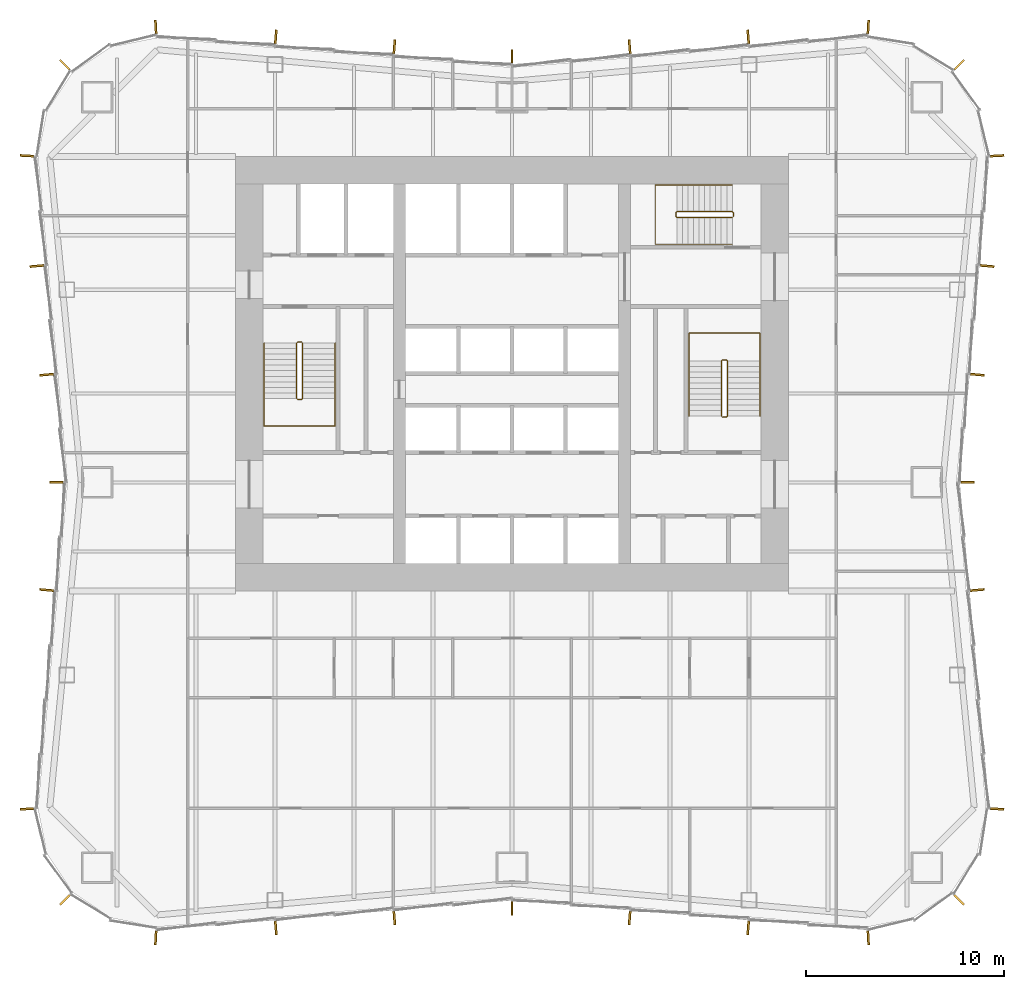
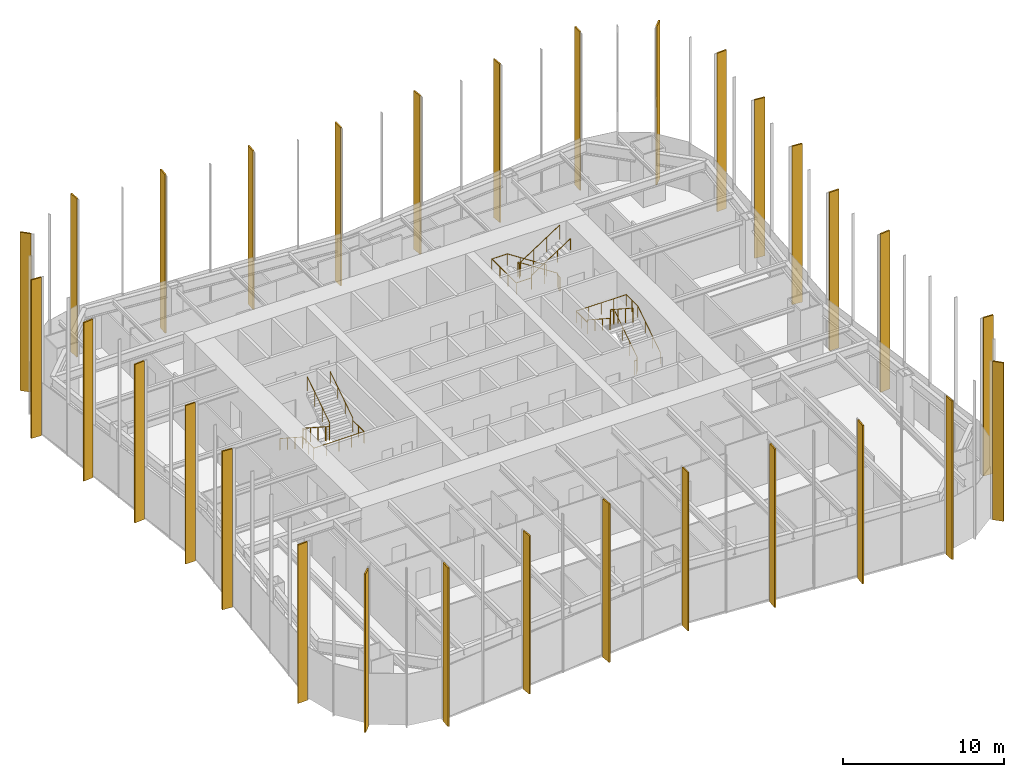
# One storey, part 13 of 13: 30 shading devices, 6 railings.
"""IFC4 building model written with IfcOpenShell, lengths in metres."""

from ifc_helpers import new_model, si_unit, direction, frame, origin, origin_2d, place, context, subcontext, project, spatial, rectangle, circle, extrude, material, layer, layer_set, type_object, element, save


model = new_model("IFC4")

# Units and contexts
model_context = context("Model", 3, precision=1e-05, world=origin(), true_north=direction((0.0, 1.0)))
body_context = subcontext(model_context, "Body", "Model", "MODEL_VIEW")
ifc_project = project(units=[si_unit("LENGTHUNIT", "METRE"), si_unit("AREAUNIT", "SQUARE_METRE"), si_unit("VOLUMEUNIT", "CUBIC_METRE"), si_unit("PLANEANGLEUNIT", "RADIAN"), si_unit("MASSUNIT", "GRAM", prefix="KILO")], contexts=[model_context])

# Site, building, storey
site_placement = place(None, origin())
site = spatial("IfcSite", under=ifc_project, at=site_placement, CompositionType="ELEMENT")
building_placement = place(site_placement, origin())
building = spatial("IfcBuilding", under=site, at=building_placement, Name="Verdant Reach Tower", CompositionType="ELEMENT")
storey_placement = place(building_placement, frame((0.0, 0.0, 26.0)))
storey = spatial("IfcBuildingStorey", under=building, at=storey_placement, Name="L05", CompositionType="ELEMENT", Elevation=26.0)

# Railings
ifc_material_1 = material(Name="Stainless steel", Category="steel")
railing_type_1 = type_object("IfcRailingType", Name="CO-GUARD", PredefinedType="GUARDRAIL", material=ifc_material_1)
railing_1_placement = place(storey_placement, frame((-10.64990234375, 29.60009765625, 0.0)))
element("IfcRailing", 1, at=railing_1_placement, inside=storey, type_object=railing_type_1, Name="L05 ST-1 stair guard 1", PredefinedType="GUARDRAIL", context=body_context, shape_type="SweptSolid", body=[
    extrude(circle(Radius=0.02392578125, at=origin_2d()), frame((0.0, 0.0, 1.076171875), z_axis=(-1.0, 0.0, 0.0), x_axis=(0.0, -1.0, 0.0)), (0.0, 0.0, 1.0), 0.2001953125),
    extrude(circle(Radius=0.02392578125, at=origin_2d()), frame((-0.2001953125, 0.0, 1.076171875), z_axis=(-0.25526617399, -0.256517478764, 0.932222056972), x_axis=(0.708833529934, -0.705375805398, 0.0)), (0.0, 0.0, 1.0), 0.195068359375),
    extrude(circle(Radius=0.02392578125, at=origin_2d()), frame((-0.25, -0.050048828125, 1.2578125), z_axis=(0.0, -0.838705829183, 0.544584733623), x_axis=(1.0, 0.0, 0.0)), (0.0, 0.0, 1.0), 3.338623046875),
    extrude(circle(Radius=0.02392578125, at=origin_2d()), frame((-0.25, -2.85009765625, 3.076171875), z_axis=(0.705375805398, -0.708833529934, 0.0), x_axis=(0.708833529934, 0.705375805398, 0.0)), (0.0, 0.0, 1.0), 0.070556640625),
    extrude(circle(Radius=0.02392578125, at=origin_2d()), frame((-0.2001953125, -2.900146484375, 3.076171875), z_axis=(1.0, 0.0, 0.0), x_axis=(0.0, 1.0, 0.0)), (0.0, 0.0, 1.0), 0.2001953125),
    extrude(circle(Radius=0.02392578125, at=origin_2d()), frame((0.0, -2.900146484375, 3.076171875), z_axis=(0.25526617399, 0.256517478764, 0.932222056972), x_axis=(-0.708833529934, 0.705375805398, 0.0)), (0.0, 0.0, 1.0), 0.195068359375),
    extrude(circle(Radius=0.02392578125, at=origin_2d()), frame((0.0498046875, -2.85009765625, 3.2578125), z_axis=(0.0, 0.838705829183, 0.544584733623), x_axis=(-1.0, 0.0, 0.0)), (0.0, 0.0, 1.0), 3.338623046875),
    extrude(circle(Radius=0.02099609375, at=origin_2d()), origin(), (0.0, 0.0, 1.0), 1.052001953125),
    extrude(circle(Radius=0.02099609375, at=origin_2d()), frame((-0.2001953125, 0.0, 0.0)), (0.0, 0.0, 1.0), 1.052001953125),
    extrude(circle(Radius=0.02099609375, at=origin_2d()), frame((-0.25, -0.050048828125, 0.181884765625)), (0.0, 0.0, 1.0), 1.052001953125),
    extrude(circle(Radius=0.02099609375, at=origin_2d()), frame((-0.25, -0.9833984375, 0.787841796875)), (0.0, 0.0, 1.0), 1.052001953125),
    extrude(circle(Radius=0.02099609375, at=origin_2d()), frame((-0.25, -1.916748046875, 1.39404296875)), (0.0, 0.0, 1.0), 1.052001953125),
    extrude(circle(Radius=0.02099609375, at=origin_2d()), frame((-0.25, -2.85009765625, 2.0)), (0.0, 0.0, 1.0), 1.052001953125),
    extrude(circle(Radius=0.02099609375, at=origin_2d()), frame((-0.2001953125, -2.900146484375, 2.0)), (0.0, 0.0, 1.0), 1.052001953125),
    extrude(circle(Radius=0.02099609375, at=origin_2d()), frame((0.0, -2.900146484375, 2.0)), (0.0, 0.0, 1.0), 1.052001953125),
    extrude(circle(Radius=0.02099609375, at=origin_2d()), frame((0.0498046875, -2.85009765625, 2.181884765625)), (0.0, 0.0, 1.0), 1.052001953125),
    extrude(circle(Radius=0.02099609375, at=origin_2d()), frame((0.0498046875, -1.916748046875, 2.787841796875)), (0.0, 0.0, 1.0), 1.052001953125),
    extrude(circle(Radius=0.02099609375, at=origin_2d()), frame((0.0498046875, -0.9833984375, 3.39404296875)), (0.0, 0.0, 1.0), 1.052001953125),
    extrude(circle(Radius=0.02099609375, at=origin_2d()), frame((0.0498046875, -0.050048828125, 4.0)), (0.0, 0.0, 1.0), 1.052001953125),
])
railing_2_placement = place(storey_placement, frame((10.64990234375, 25.800048828125, 0.0)))
element("IfcRailing", 2, at=railing_2_placement, inside=storey, type_object=railing_type_1, Name="L05 ST-2 stair guard 1", PredefinedType="GUARDRAIL", context=body_context, shape_type="SweptSolid", body=[
    extrude(circle(Radius=0.02392578125, at=origin_2d()), frame((0.0, 0.0, 1.076171875), z_axis=(1.0, 0.0, 0.0), x_axis=(0.0, 1.0, 0.0)), (0.0, 0.0, 1.0), 0.2001953125),
    extrude(circle(Radius=0.02392578125, at=origin_2d()), frame((0.2001953125, 0.0, 1.076171875), z_axis=(0.25526617399, 0.256517478764, 0.932222056972), x_axis=(-0.708833529934, 0.705375805398, 0.0)), (0.0, 0.0, 1.0), 0.195068359375),
    extrude(circle(Radius=0.02392578125, at=origin_2d()), frame((0.25, 0.050048828125, 1.2578125), z_axis=(0.0, 0.83868413941, 0.544618136222), x_axis=(-1.0, 0.0, 0.0)), (0.0, 0.0, 1.0), 3.33837890625),
    extrude(circle(Radius=0.02392578125, at=origin_2d()), frame((0.25, 2.849853515625, 3.076171875), z_axis=(-0.705375805398, 0.708833529934, 0.0), x_axis=(-0.708833529934, -0.705375805398, 0.0)), (0.0, 0.0, 1.0), 0.070556640625),
    extrude(circle(Radius=0.02392578125, at=origin_2d()), frame((0.2001953125, 2.89990234375, 3.076171875), z_axis=(-1.0, 0.0, 0.0), x_axis=(0.0, -1.0, 0.0)), (0.0, 0.0, 1.0), 0.2001953125),
    extrude(circle(Radius=0.02392578125, at=origin_2d()), frame((0.0, 2.89990234375, 3.076171875), z_axis=(-0.25526617399, -0.256517478764, 0.932222056972), x_axis=(0.708833529934, -0.705375805398, 0.0)), (0.0, 0.0, 1.0), 0.195068359375),
    extrude(circle(Radius=0.02392578125, at=origin_2d()), frame((-0.0498046875, 2.849853515625, 3.2578125), z_axis=(0.0, -0.83868413941, 0.544618136222), x_axis=(1.0, 0.0, 0.0)), (0.0, 0.0, 1.0), 3.33837890625),
    extrude(circle(Radius=0.02099609375, at=origin_2d()), origin(), (0.0, 0.0, 1.0), 1.052001953125),
    extrude(circle(Radius=0.02099609375, at=origin_2d()), frame((0.2001953125, 0.0, 0.0)), (0.0, 0.0, 1.0), 1.052001953125),
    extrude(circle(Radius=0.02099609375, at=origin_2d()), frame((0.25, 0.050048828125, 0.181884765625)), (0.0, 0.0, 1.0), 1.052001953125),
    extrude(circle(Radius=0.02099609375, at=origin_2d()), frame((0.25, 0.9833984375, 0.787841796875)), (0.0, 0.0, 1.0), 1.052001953125),
    extrude(circle(Radius=0.02099609375, at=origin_2d()), frame((0.25, 1.91650390625, 1.39404296875)), (0.0, 0.0, 1.0), 1.052001953125),
    extrude(circle(Radius=0.02099609375, at=origin_2d()), frame((0.25, 2.849853515625, 2.0)), (0.0, 0.0, 1.0), 1.052001953125),
    extrude(circle(Radius=0.02099609375, at=origin_2d()), frame((0.2001953125, 2.89990234375, 2.0)), (0.0, 0.0, 1.0), 1.052001953125),
    extrude(circle(Radius=0.02099609375, at=origin_2d()), frame((0.0, 2.89990234375, 2.0)), (0.0, 0.0, 1.0), 1.052001953125),
    extrude(circle(Radius=0.02099609375, at=origin_2d()), frame((-0.0498046875, 2.849853515625, 2.181884765625)), (0.0, 0.0, 1.0), 1.052001953125),
    extrude(circle(Radius=0.02099609375, at=origin_2d()), frame((-0.0498046875, 1.91650390625, 2.787841796875)), (0.0, 0.0, 1.0), 1.052001953125),
    extrude(circle(Radius=0.02099609375, at=origin_2d()), frame((-0.0498046875, 0.9833984375, 3.39404296875)), (0.0, 0.0, 1.0), 1.052001953125),
    extrude(circle(Radius=0.02099609375, at=origin_2d()), frame((-0.0498046875, 0.050048828125, 4.0)), (0.0, 0.0, 1.0), 1.052001953125),
])
railing_3_placement = place(storey_placement, frame((11.199951171875, 35.949951171875, 0.0)))
element("IfcRailing", 3, at=railing_3_placement, inside=storey, type_object=railing_type_1, Name="L05 ST-3 stair guard 1", PredefinedType="GUARDRAIL", context=body_context, shape_type="SweptSolid", body=[
    extrude(circle(Radius=0.02392578125, at=origin_2d()), frame((0.0, 0.0, 1.076171875), z_axis=(0.0, 1.0, 0.0), x_axis=(-1.0, 0.0, 0.0)), (0.0, 0.0, 1.0), 0.199951171875),
    extrude(circle(Radius=0.02392578125, at=origin_2d()), frame((0.0, 0.199951171875, 1.076171875), z_axis=(-0.256435381639, 0.256435381639, 0.931923704005), x_axis=(-0.707106781187, -0.707106781187, 0.0)), (0.0, 0.0, 1.0), 0.195068359375),
    extrude(circle(Radius=0.02392578125, at=origin_2d()), frame((-0.050048828125, 0.25, 1.2578125), z_axis=(-0.83868413941, 0.0, 0.544618136222), x_axis=(0.0, -1.0, 0.0)), (0.0, 0.0, 1.0), 3.33837890625),
    extrude(circle(Radius=0.02392578125, at=origin_2d()), frame((-2.849853515625, 0.25, 3.076171875), z_axis=(-0.707106781187, -0.707106781187, 0.0), x_axis=(0.707106781187, -0.707106781187, 0.0)), (0.0, 0.0, 1.0), 0.07080078125),
    extrude(circle(Radius=0.02392578125, at=origin_2d()), frame((-2.89990234375, 0.199951171875, 3.076171875), z_axis=(0.0, -1.0, 0.0), x_axis=(1.0, 0.0, 0.0)), (0.0, 0.0, 1.0), 0.199951171875),
    extrude(circle(Radius=0.02392578125, at=origin_2d()), frame((-2.89990234375, 0.0, 3.076171875), z_axis=(0.256435381639, -0.256435381639, 0.931923704005), x_axis=(0.707106781187, 0.707106781187, 0.0)), (0.0, 0.0, 1.0), 0.195068359375),
    extrude(circle(Radius=0.02392578125, at=origin_2d()), frame((-2.849853515625, -0.050048828125, 3.2578125), z_axis=(0.83868413941, 0.0, 0.544618136222), x_axis=(0.0, 1.0, 0.0)), (0.0, 0.0, 1.0), 3.33837890625),
    extrude(circle(Radius=0.02099609375, at=origin_2d()), origin(), (0.0, 0.0, 1.0), 1.052001953125),
    extrude(circle(Radius=0.02099609375, at=origin_2d()), frame((0.0, 0.199951171875, 0.0)), (0.0, 0.0, 1.0), 1.052001953125),
    extrude(circle(Radius=0.02099609375, at=origin_2d()), frame((-0.050048828125, 0.25, 0.181884765625)), (0.0, 0.0, 1.0), 1.052001953125),
    extrude(circle(Radius=0.02099609375, at=origin_2d()), frame((-0.9833984375, 0.25, 0.787841796875)), (0.0, 0.0, 1.0), 1.052001953125),
    extrude(circle(Radius=0.02099609375, at=origin_2d()), frame((-1.91650390625, 0.25, 1.39404296875)), (0.0, 0.0, 1.0), 1.052001953125),
    extrude(circle(Radius=0.02099609375, at=origin_2d()), frame((-2.849853515625, 0.25, 2.0)), (0.0, 0.0, 1.0), 1.052001953125),
    extrude(circle(Radius=0.02099609375, at=origin_2d()), frame((-2.89990234375, 0.199951171875, 2.0)), (0.0, 0.0, 1.0), 1.052001953125),
    extrude(circle(Radius=0.02099609375, at=origin_2d()), frame((-2.89990234375, 0.0, 2.0)), (0.0, 0.0, 1.0), 1.052001953125),
    extrude(circle(Radius=0.02099609375, at=origin_2d()), frame((-2.849853515625, -0.050048828125, 2.181884765625)), (0.0, 0.0, 1.0), 1.052001953125),
    extrude(circle(Radius=0.02099609375, at=origin_2d()), frame((-1.91650390625, -0.050048828125, 2.787841796875)), (0.0, 0.0, 1.0), 1.052001953125),
    extrude(circle(Radius=0.02099609375, at=origin_2d()), frame((-0.9833984375, -0.050048828125, 3.39404296875)), (0.0, 0.0, 1.0), 1.052001953125),
    extrude(circle(Radius=0.02099609375, at=origin_2d()), frame((-0.050048828125, -0.050048828125, 4.0)), (0.0, 0.0, 1.0), 1.052001953125),
])
railing_type_2 = type_object("IfcRailingType", Name="CO-HANDRAIL", PredefinedType="HANDRAIL", material=ifc_material_1)
railing_4_placement = place(storey_placement, frame((-12.550048828125, 29.550048828125, 0.181884765625)))
element("IfcRailing", 4, at=railing_4_placement, inside=storey, type_object=railing_type_2, Name="L05 ST-1 stair handrail 1", PredefinedType="HANDRAIL", context=body_context, shape_type="SweptSolid", body=[
    extrude(circle(Radius=0.02392578125, at=origin_2d()), frame((0.0, 0.0, 0.8759765625), z_axis=(0.0, -0.838705829183, 0.544584733623), x_axis=(1.0, 0.0, 0.0)), (0.0, 0.0, 1.0), 3.338623046875),
    extrude(circle(Radius=0.02392578125, at=origin_2d()), frame((0.0, -2.800048828125, 2.69384765625), z_axis=(0.0, -1.0, 0.0), x_axis=(1.0, 0.0, 0.0)), (0.0, 0.0, 1.0), 1.39990234375),
    extrude(circle(Radius=0.02392578125, at=origin_2d()), frame((0.0, -4.199951171875, 2.69384765625), z_axis=(1.0, 0.0, 0.0), x_axis=(0.0, 1.0, 0.0)), (0.0, 0.0, 1.0), 3.60009765625),
    extrude(circle(Radius=0.02392578125, at=origin_2d()), frame((3.60009765625, -4.199951171875, 2.69384765625), z_axis=(0.0, 1.0, 0.0), x_axis=(-1.0, 0.0, 0.0)), (0.0, 0.0, 1.0), 1.39990234375),
    extrude(circle(Radius=0.02392578125, at=origin_2d()), frame((3.60009765625, -2.800048828125, 2.69384765625), z_axis=(0.0, 0.0, 1.0), x_axis=(1.0, 0.0, 0.0)), (0.0, 0.0, 1.0), 0.181884765625),
    extrude(circle(Radius=0.02392578125, at=origin_2d()), frame((3.60009765625, -2.800048828125, 2.8759765625), z_axis=(0.0, 0.838705829183, 0.544584733623), x_axis=(-1.0, 0.0, 0.0)), (0.0, 0.0, 1.0), 3.338623046875),
    extrude(circle(Radius=0.02099609375, at=origin_2d()), origin(), (0.0, 0.0, 1.0), 0.851806640625),
    extrude(circle(Radius=0.02099609375, at=origin_2d()), frame((0.0, -0.933349609375, 0.60595703125)), (0.0, 0.0, 1.0), 0.851806640625),
    extrude(circle(Radius=0.02099609375, at=origin_2d()), frame((0.0, -1.86669921875, 1.212158203125)), (0.0, 0.0, 1.0), 0.851806640625),
    extrude(circle(Radius=0.02099609375, at=origin_2d()), frame((0.0, -2.800048828125, 1.818115234375)), (0.0, 0.0, 1.0), 0.851806640625),
    extrude(circle(Radius=0.02099609375, at=origin_2d()), frame((0.0, -3.5, 1.818115234375)), (0.0, 0.0, 1.0), 0.851806640625),
    extrude(circle(Radius=0.02099609375, at=origin_2d()), frame((0.0, -4.199951171875, 1.818115234375)), (0.0, 0.0, 1.0), 0.851806640625),
    extrude(circle(Radius=0.02099609375, at=origin_2d()), frame((0.89990234375, -4.199951171875, 1.818115234375)), (0.0, 0.0, 1.0), 0.851806640625),
    extrude(circle(Radius=0.02099609375, at=origin_2d()), frame((1.800048828125, -4.199951171875, 1.818115234375)), (0.0, 0.0, 1.0), 0.851806640625),
    extrude(circle(Radius=0.02099609375, at=origin_2d()), frame((2.7001953125, -4.199951171875, 1.818115234375)), (0.0, 0.0, 1.0), 0.851806640625),
    extrude(circle(Radius=0.02099609375, at=origin_2d()), frame((3.60009765625, -4.199951171875, 1.818115234375)), (0.0, 0.0, 1.0), 0.851806640625),
    extrude(circle(Radius=0.02099609375, at=origin_2d()), frame((3.60009765625, -3.5, 1.818115234375)), (0.0, 0.0, 1.0), 0.851806640625),
    extrude(circle(Radius=0.02099609375, at=origin_2d()), frame((3.60009765625, -2.800048828125, 1.818115234375)), (0.0, 0.0, 1.0), 0.851806640625),
    extrude(circle(Radius=0.02099609375, at=origin_2d()), frame((3.60009765625, -2.800048828125, 2.0)), (0.0, 0.0, 1.0), 0.851806640625),
    extrude(circle(Radius=0.02099609375, at=origin_2d()), frame((3.60009765625, -1.86669921875, 2.60595703125)), (0.0, 0.0, 1.0), 0.851806640625),
    extrude(circle(Radius=0.02099609375, at=origin_2d()), frame((3.60009765625, -0.933349609375, 3.212158203125)), (0.0, 0.0, 1.0), 0.851806640625),
    extrude(circle(Radius=0.02099609375, at=origin_2d()), frame((3.60009765625, 0.0, 3.818115234375)), (0.0, 0.0, 1.0), 0.851806640625),
])
railing_5_placement = place(storey_placement, frame((12.550048828125, 25.85009765625, 0.181884765625)))
element("IfcRailing", 5, at=railing_5_placement, inside=storey, type_object=railing_type_2, Name="L05 ST-2 stair handrail 1", PredefinedType="HANDRAIL", context=body_context, shape_type="SweptSolid", body=[
    extrude(circle(Radius=0.02392578125, at=origin_2d()), frame((0.0, 0.0, 0.8759765625), z_axis=(0.0, 0.83868413941, 0.544618136222), x_axis=(-1.0, 0.0, 0.0)), (0.0, 0.0, 1.0), 3.33837890625),
    extrude(circle(Radius=0.02392578125, at=origin_2d()), frame((0.0, 2.7998046875, 2.69384765625), z_axis=(0.0, 1.0, 0.0), x_axis=(-1.0, 0.0, 0.0)), (0.0, 0.0, 1.0), 1.400146484375),
    extrude(circle(Radius=0.02392578125, at=origin_2d()), frame((0.0, 4.199951171875, 2.69384765625), z_axis=(-1.0, 0.0, 0.0), x_axis=(0.0, -1.0, 0.0)), (0.0, 0.0, 1.0), 3.60009765625),
    extrude(circle(Radius=0.02392578125, at=origin_2d()), frame((-3.60009765625, 4.199951171875, 2.69384765625), z_axis=(0.0, -1.0, 0.0), x_axis=(1.0, 0.0, 0.0)), (0.0, 0.0, 1.0), 1.400146484375),
    extrude(circle(Radius=0.02392578125, at=origin_2d()), frame((-3.60009765625, 2.7998046875, 2.69384765625), z_axis=(0.0, 0.0, 1.0), x_axis=(1.0, 0.0, 0.0)), (0.0, 0.0, 1.0), 0.181884765625),
    extrude(circle(Radius=0.02392578125, at=origin_2d()), frame((-3.60009765625, 2.7998046875, 2.8759765625), z_axis=(0.0, -0.83868413941, 0.544618136222), x_axis=(1.0, 0.0, 0.0)), (0.0, 0.0, 1.0), 3.33837890625),
    extrude(circle(Radius=0.02099609375, at=origin_2d()), origin(), (0.0, 0.0, 1.0), 0.851806640625),
    extrude(circle(Radius=0.02099609375, at=origin_2d()), frame((0.0, 0.933349609375, 0.60595703125)), (0.0, 0.0, 1.0), 0.851806640625),
    extrude(circle(Radius=0.02099609375, at=origin_2d()), frame((0.0, 1.866455078125, 1.212158203125)), (0.0, 0.0, 1.0), 0.851806640625),
    extrude(circle(Radius=0.02099609375, at=origin_2d()), frame((0.0, 2.7998046875, 1.818115234375)), (0.0, 0.0, 1.0), 0.851806640625),
    extrude(circle(Radius=0.02099609375, at=origin_2d()), frame((0.0, 3.5, 1.818115234375)), (0.0, 0.0, 1.0), 0.851806640625),
    extrude(circle(Radius=0.02099609375, at=origin_2d()), frame((0.0, 4.199951171875, 1.818115234375)), (0.0, 0.0, 1.0), 0.851806640625),
    extrude(circle(Radius=0.02099609375, at=origin_2d()), frame((-0.89990234375, 4.199951171875, 1.818115234375)), (0.0, 0.0, 1.0), 0.851806640625),
    extrude(circle(Radius=0.02099609375, at=origin_2d()), frame((-1.800048828125, 4.199951171875, 1.818115234375)), (0.0, 0.0, 1.0), 0.851806640625),
    extrude(circle(Radius=0.02099609375, at=origin_2d()), frame((-2.7001953125, 4.199951171875, 1.818115234375)), (0.0, 0.0, 1.0), 0.851806640625),
    extrude(circle(Radius=0.02099609375, at=origin_2d()), frame((-3.60009765625, 4.199951171875, 1.818115234375)), (0.0, 0.0, 1.0), 0.851806640625),
    extrude(circle(Radius=0.02099609375, at=origin_2d()), frame((-3.60009765625, 3.5, 1.818115234375)), (0.0, 0.0, 1.0), 0.851806640625),
    extrude(circle(Radius=0.02099609375, at=origin_2d()), frame((-3.60009765625, 2.7998046875, 1.818115234375)), (0.0, 0.0, 1.0), 0.851806640625),
    extrude(circle(Radius=0.02099609375, at=origin_2d()), frame((-3.60009765625, 2.7998046875, 2.0)), (0.0, 0.0, 1.0), 0.851806640625),
    extrude(circle(Radius=0.02099609375, at=origin_2d()), frame((-3.60009765625, 1.866455078125, 2.60595703125)), (0.0, 0.0, 1.0), 0.851806640625),
    extrude(circle(Radius=0.02099609375, at=origin_2d()), frame((-3.60009765625, 0.933349609375, 3.212158203125)), (0.0, 0.0, 1.0), 0.851806640625),
    extrude(circle(Radius=0.02099609375, at=origin_2d()), frame((-3.60009765625, 0.0, 3.818115234375)), (0.0, 0.0, 1.0), 0.851806640625),
])
railing_6_placement = place(storey_placement, frame((11.14990234375, 37.550048828125, 0.181884765625)))
element("IfcRailing", 6, at=railing_6_placement, inside=storey, type_object=railing_type_2, Name="L05 ST-3 stair handrail 1", PredefinedType="HANDRAIL", context=body_context, shape_type="SweptSolid", body=[
    extrude(circle(Radius=0.02392578125, at=origin_2d()), frame((0.0, 0.0, 0.8759765625), z_axis=(-0.83868413941, 0.0, 0.544618136222), x_axis=(0.0, -1.0, 0.0)), (0.0, 0.0, 1.0), 3.33837890625),
    extrude(circle(Radius=0.02392578125, at=origin_2d()), frame((-2.7998046875, 0.0, 2.69384765625), z_axis=(-1.0, 0.0, 0.0), x_axis=(0.0, -1.0, 0.0)), (0.0, 0.0, 1.0), 1.10009765625),
    extrude(circle(Radius=0.02392578125, at=origin_2d()), frame((-3.89990234375, 0.0, 2.69384765625), z_axis=(0.0, -1.0, 0.0), x_axis=(1.0, 0.0, 0.0)), (0.0, 0.0, 1.0), 3.0),
    extrude(circle(Radius=0.02392578125, at=origin_2d()), frame((-3.89990234375, -3.0, 2.69384765625), z_axis=(1.0, 0.0, 0.0), x_axis=(0.0, 1.0, 0.0)), (0.0, 0.0, 1.0), 1.10009765625),
    extrude(circle(Radius=0.02392578125, at=origin_2d()), frame((-2.7998046875, -3.0, 2.69384765625), z_axis=(0.0, 0.0, 1.0), x_axis=(1.0, 0.0, 0.0)), (0.0, 0.0, 1.0), 0.181884765625),
    extrude(circle(Radius=0.02392578125, at=origin_2d()), frame((-2.7998046875, -3.0, 2.8759765625), z_axis=(0.83868413941, 0.0, 0.544618136222), x_axis=(0.0, 1.0, 0.0)), (0.0, 0.0, 1.0), 3.33837890625),
    extrude(circle(Radius=0.02099609375, at=origin_2d()), origin(), (0.0, 0.0, 1.0), 0.851806640625),
    extrude(circle(Radius=0.02099609375, at=origin_2d()), frame((-0.933349609375, 0.0, 0.60595703125)), (0.0, 0.0, 1.0), 0.851806640625),
    extrude(circle(Radius=0.02099609375, at=origin_2d()), frame((-1.866455078125, 0.0, 1.212158203125)), (0.0, 0.0, 1.0), 0.851806640625),
    extrude(circle(Radius=0.02099609375, at=origin_2d()), frame((-2.7998046875, 0.0, 1.818115234375)), (0.0, 0.0, 1.0), 0.851806640625),
    extrude(circle(Radius=0.02099609375, at=origin_2d()), frame((-3.89990234375, 0.0, 1.818115234375)), (0.0, 0.0, 1.0), 0.851806640625),
    extrude(circle(Radius=0.02099609375, at=origin_2d()), frame((-3.89990234375, -1.0, 1.818115234375)), (0.0, 0.0, 1.0), 0.851806640625),
    extrude(circle(Radius=0.02099609375, at=origin_2d()), frame((-3.89990234375, -2.0, 1.818115234375)), (0.0, 0.0, 1.0), 0.851806640625),
    extrude(circle(Radius=0.02099609375, at=origin_2d()), frame((-3.89990234375, -3.0, 1.818115234375)), (0.0, 0.0, 1.0), 0.851806640625),
    extrude(circle(Radius=0.02099609375, at=origin_2d()), frame((-2.7998046875, -3.0, 1.818115234375)), (0.0, 0.0, 1.0), 0.851806640625),
    extrude(circle(Radius=0.02099609375, at=origin_2d()), frame((-2.7998046875, -3.0, 2.0)), (0.0, 0.0, 1.0), 0.851806640625),
    extrude(circle(Radius=0.02099609375, at=origin_2d()), frame((-1.866455078125, -3.0, 2.60595703125)), (0.0, 0.0, 1.0), 0.851806640625),
    extrude(circle(Radius=0.02099609375, at=origin_2d()), frame((-0.933349609375, -3.0, 3.212158203125)), (0.0, 0.0, 1.0), 0.851806640625),
    extrude(circle(Radius=0.02099609375, at=origin_2d()), frame((0.0, -3.0, 3.818115234375)), (0.0, 0.0, 1.0), 0.851806640625),
])

# Shading devices
ifc_material_2 = material(Name="Bronze fin, champagne", Category="aluminium")
ifc_layer_1 = layer(ifc_material_2, 0.10009765625)
ifc_layer_set_1 = layer_set([ifc_layer_1], Name="EN-FIN CHAMPAGNE")
shading_device_type_1 = type_object("IfcShadingDeviceType", Name="EN-FIN CHAMPAGNE", PredefinedType="USERDEFINED", material=ifc_layer_set_1)
for number, where, z_axis, x_axis, name in (
    (7, (22.631591796875, 1.368408203125, -0.35009765625), (0.0, 0.0, 1.0), (0.707106781187, 0.707106781187, 0.0), "Fin south-east corner 3, L05"),
    (8, (24.54931640625, 5.970947265625, -0.35009765625), (0.0, 0.0, 1.0), (0.052815489107, 0.998604288049, 0.0), "Fin east face part 1 1, L05"),
    (9, (23.5478515625, 27.9501953125, -0.35009765625), (0.0, 0.0, 1.0), (0.090535746047, 0.995893206467, 0.0), "Fin east face part 2 3, L05"),
    (10, (24.54931640625, 39.029052734375, -0.35009765625), (0.0, 0.0, 1.0), (-0.052815489107, 0.998604288049, 0.0), "Fin north-east corner 1, L05"),
    (11, (18.031005859375, 45.549072265625, -0.35009765625), (0.0, 0.0, 1.0), (-0.998398681387, 0.056569187765, 0.0), "Fin north face part 1 1, L05"),
    (12, (0.0, 44.050048828125, -0.35009765625), (0.0, 0.0, 1.0), (-1.0, 0.0, 0.0), "Fin north face part 2 1, L05"),
    (13, (-18.031005859375, 45.549072265625, -0.35009765625), (0.0, 0.0, 1.0), (-0.998398681387, -0.056569187765, 0.0), "Fin north-west corner 1, L05"),
    (14, (-23.5478515625, 27.9501953125, -0.35009765625), (0.0, 0.0, 1.0), (0.090535746047, -0.995893206467, 0.0), "Fin west face part 1 5, L05"),
    (15, (-11.954345703125, -0.048095703125, -0.35009765625), (0.0, 0.0, 1.0), (0.996545758244, 0.083045479859, 0.0), "Fin south face part 1 3, L05"),
    (16, (11.954345703125, -0.048095703125, -0.35009765625), (0.0, 0.0, 1.0), (0.996545758244, -0.083045479859, 0.0), "Fin south face part 2 5, L05"),
):
    element("IfcShadingDevice", number, at=place(storey_placement, frame(where, z_axis=z_axis, x_axis=x_axis)), inside=storey, type_object=shading_device_type_1, Name=name, ObjectType="FIN", PredefinedType="USERDEFINED", context=body_context, shape_type="SweptSolid", body=[
        extrude(rectangle(XDim=0.10009765625, YDim=0.699951171875, at=origin_2d()), origin(), (0.0, 0.0, 1.0), 12.0),
    ])
ifc_material_3 = material(Name="Bronze fin, copper", Category="aluminium")
ifc_layer_2 = layer(ifc_material_3, 0.10009765625)
ifc_layer_set_2 = layer_set([ifc_layer_2], Name="EN-FIN COPPER")
shading_device_type_2 = type_object("IfcShadingDeviceType", Name="EN-FIN COPPER", PredefinedType="USERDEFINED", material=ifc_layer_set_2)
for number, where, z_axis, x_axis, name in (
    (17, (23.5478515625, 17.0498046875, -0.35009765625), (0.0, 0.0, 1.0), (-0.090535746047, 0.995893206467, 0.0), "Fin east face part 1 5, L05"),
    (18, (24.0478515625, 33.4501953125, -0.35009765625), (0.0, 0.0, 1.0), (0.090535746047, 0.995893206467, 0.0), "Fin east face part 2 5, L05"),
    (19, (22.631591796875, 43.631591796875, -0.35009765625), (0.0, 0.0, 1.0), (-0.707106781187, 0.707106781187, 0.0), "Fin north-east corner 3, L05"),
    (20, (11.954345703125, 45.048095703125, -0.35009765625), (0.0, 0.0, 1.0), (-0.996545758244, -0.083045479859, 0.0), "Fin north face part 1 3, L05"),
    (21, (-5.954345703125, 44.548095703125, -0.35009765625), (0.0, 0.0, 1.0), (-0.996545758244, 0.083045479859, 0.0), "Fin north face part 2 3, L05"),
    (22, (-11.954345703125, 45.048095703125, -0.35009765625), (0.0, 0.0, 1.0), (-0.996545758244, 0.083045479859, 0.0), "Fin north face part 2 5, L05"),
    (23, (-22.631591796875, 43.631591796875, -0.35009765625), (0.0, 0.0, 1.0), (-0.707106781187, -0.707106781187, 0.0), "Fin north-west corner 3, L05"),
    (24, (-24.54931640625, 39.029052734375, -0.35009765625), (0.0, 0.0, 1.0), (-0.052815489107, -0.998604288049, 0.0), "Fin west face part 1 1, L05"),
    (25, (-23.050048828125, 22.5, -0.35009765625), (0.0, 0.0, 1.0), (0.0, -1.0, 0.0), "Fin west face part 2 1, L05"),
    (26, (-23.5478515625, 17.0498046875, -0.35009765625), (0.0, 0.0, 1.0), (-0.090535746047, -0.995893206467, 0.0), "Fin west face part 2 3, L05"),
    (27, (-24.54931640625, 5.970947265625, -0.35009765625), (0.0, 0.0, 1.0), (0.052815489107, -0.998604288049, 0.0), "Fin south-west corner 1, L05"),
    (28, (-5.954345703125, 0.451904296875, -0.35009765625), (0.0, 0.0, 1.0), (0.996545758244, 0.083045479859, 0.0), "Fin south face part 1 5, L05"),
    (29, (0.0, 0.949951171875, -0.35009765625), (0.0, 0.0, 1.0), (1.0, 0.0, 0.0), "Fin south face part 2 1, L05"),
):
    element("IfcShadingDevice", number, at=place(storey_placement, frame(where, z_axis=z_axis, x_axis=x_axis)), inside=storey, type_object=shading_device_type_2, Name=name, ObjectType="FIN", PredefinedType="USERDEFINED", context=body_context, shape_type="SweptSolid", body=[
        extrude(rectangle(XDim=0.10009765625, YDim=0.699951171875, at=origin_2d()), origin(), (0.0, 0.0, 1.0), 12.0),
    ])
ifc_material_4 = material(Name="Bronze fin, dark bronze", Category="aluminium")
ifc_layer_3 = layer(ifc_material_4, 0.10009765625)
ifc_layer_set_3 = layer_set([ifc_layer_3], Name="EN-FIN DARK")
shading_device_type_3 = type_object("IfcShadingDeviceType", Name="EN-FIN DARK", PredefinedType="USERDEFINED", material=ifc_layer_set_3)
for number, where, z_axis, x_axis, name in (
    (30, (18.031005859375, -0.549072265625, -0.35009765625), (0.0, 0.0, 1.0), (0.998398681387, 0.056569187765, 0.0), "Fin south-east corner 1, L05"),
    (31, (23.050048828125, 22.5, -0.35009765625), (0.0, 0.0, 1.0), (0.0, 1.0, 0.0), "Fin east face part 2 1, L05"),
    (32, (5.954345703125, 44.548095703125, -0.35009765625), (0.0, 0.0, 1.0), (-0.996545758244, -0.083045479859, 0.0), "Fin north face part 1 5, L05"),
    (33, (-24.0478515625, 33.4501953125, -0.35009765625), (0.0, 0.0, 1.0), (0.090535746047, -0.995893206467, 0.0), "Fin west face part 1 3, L05"),
    (34, (-22.631591796875, 1.368408203125, -0.35009765625), (0.0, 0.0, 1.0), (0.707106781187, -0.707106781187, 0.0), "Fin south-west corner 3, L05"),
    (35, (-18.031005859375, -0.549072265625, -0.35009765625), (0.0, 0.0, 1.0), (0.998398681387, -0.056569187765, 0.0), "Fin south face part 1 1, L05"),
    (36, (5.954345703125, 0.451904296875, -0.35009765625), (0.0, 0.0, 1.0), (0.996545758244, -0.083045479859, 0.0), "Fin south face part 2 3, L05"),
):
    element("IfcShadingDevice", number, at=place(storey_placement, frame(where, z_axis=z_axis, x_axis=x_axis)), inside=storey, type_object=shading_device_type_3, Name=name, ObjectType="FIN", PredefinedType="USERDEFINED", context=body_context, shape_type="SweptSolid", body=[
        extrude(rectangle(XDim=0.10009765625, YDim=0.699951171875, at=origin_2d()), origin(), (0.0, 0.0, 1.0), 12.0),
    ])

save(model, "model.ifc")
